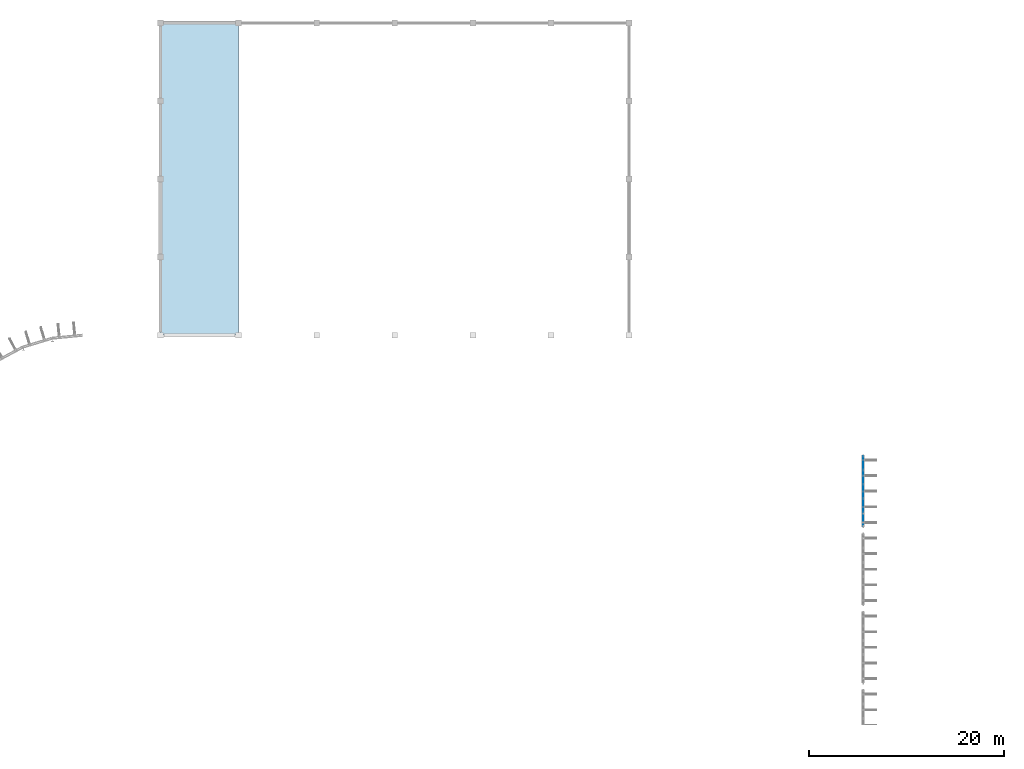
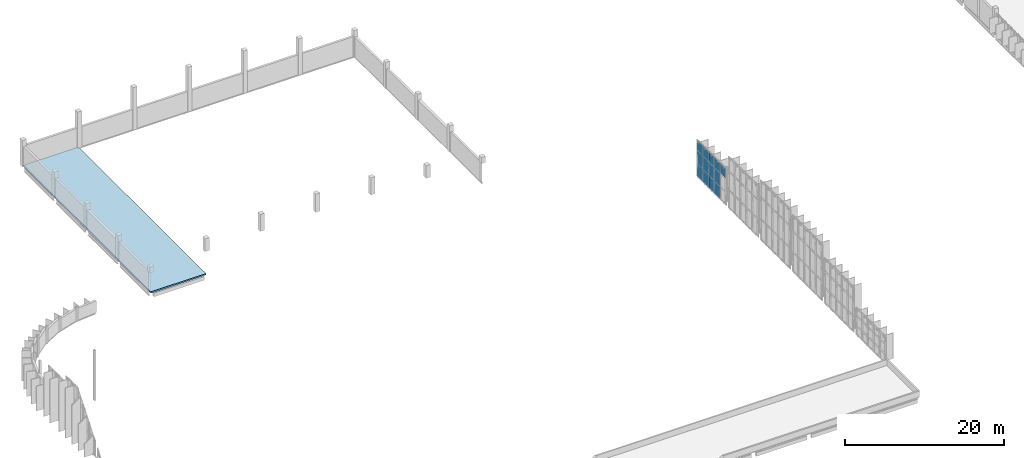
# One storey, part 22 of 38: 13 plates, 1 slab, 1 element without a shape of its own.
"""IFC4 building model written with IfcOpenShell, lengths in metres."""

from ifc_helpers import new_model, si_unit, direction, frame, origin, origin_2d, place, context, subcontext, project, spatial, polyline, rectangle, outline, extrude, material, layer, layer_set, type_object, element, aggregate, save


model = new_model("IFC4")

# Units and contexts
model_context = context("Model", 3, precision=1e-05, world=origin(), true_north=direction((0.0, 1.0)))
body_context = subcontext(model_context, "Body", "Model", "MODEL_VIEW")
ifc_project = project(units=[si_unit("LENGTHUNIT", "METRE"), si_unit("AREAUNIT", "SQUARE_METRE"), si_unit("VOLUMEUNIT", "CUBIC_METRE"), si_unit("PLANEANGLEUNIT", "RADIAN"), si_unit("MASSUNIT", "GRAM", prefix="KILO")], contexts=[model_context])

# Site, building, storey
site_placement = place(None, origin())
site = spatial("IfcSite", under=ifc_project, at=site_placement, CompositionType="ELEMENT")
building_placement = place(site_placement, origin())
building = spatial("IfcBuilding", under=site, at=building_placement, Name="Drelvana Railside Aquatics Centre", CompositionType="ELEMENT")
storey_placement = place(building_placement, frame((0.0, 0.0, 14.39990234375)))
storey = spatial("IfcBuildingStorey", under=building, at=storey_placement, Name="L03", CompositionType="ELEMENT", Elevation=14.39990234375)

# Curtain wall, plates
ifc_material_1 = material(Name="Bronze-anodised aluminium curtain wall", Category="aluminium")
ifc_layer_1 = layer(ifc_material_1, 0.219970703125, Name="Bronze-anodised aluminium curtain wall")
ifc_layer_set_1 = layer_set([ifc_layer_1], Name="Bronze-anodised aluminium curtain wall")
curtain_wall_type = type_object("IfcCurtainWallType", Name="CW-Z3-HIGH", PredefinedType="NOTDEFINED", material=ifc_layer_set_1)
curtain_wall_placement = place(storey_placement, origin())
curtain_wall = element("IfcCurtainWall", 1, at=curtain_wall_placement, inside=storey, type_object=curtain_wall_type, Name="Curtain wall CW-03-077", PredefinedType="NOTDEFINED")
ifc_material_2 = material(Name="Double-glazed low-e solar-control glass", Category="glass")
ifc_layer_2 = layer(ifc_material_2, 0.035888671875, Name="Double-glazed low-e solar-control glass")
ifc_layer_set_2 = layer_set([ifc_layer_2], Name="Double-glazed low-e solar-control glass")
plate_type = type_object("IfcPlateType", Name="CW-Z3-HIGH-PAN", PredefinedType="CURTAIN_PANEL", material=ifc_layer_set_2)
plate_1_placement = place(storey_placement, frame((96.0, 65.09521484375, 4.049560546875), z_axis=(0.0, 0.0, 1.0), x_axis=(0.0, 1.0, 0.0)))
plate_1 = element("IfcPlate", 2, at=plate_1_placement, type_object=plate_type, Name="CW-03 panel 1.3", PredefinedType="CURTAIN_PANEL", context=body_context, shape_type="SweptSolid", body=[
    extrude(rectangle(XDim=1.352294921875, YDim=0.035888671875, at=origin_2d()), origin(), (0.0, 0.0, 1.0), 1.46240234375),
])
plate_2_placement = place(storey_placement, frame((96.0, 66.53759765625, 0.064208984375), z_axis=(0.0, 0.0, 1.0), x_axis=(0.0, 1.0, 0.0)))
plate_2 = element("IfcPlate", 3, at=plate_2_placement, type_object=plate_type, Name="CW-03 panel 2.1", PredefinedType="CURTAIN_PANEL", context=body_context, shape_type="SweptSolid", body=[
    extrude(rectangle(XDim=1.392333984375, YDim=0.035888671875, at=origin_2d()), origin(), (0.0, 0.0, 1.0), 1.853515625),
])
plate_3_placement = place(storey_placement, frame((96.0, 66.53759765625, 1.982666015625), z_axis=(0.0, 0.0, 1.0), x_axis=(0.0, 1.0, 0.0)))
plate_3 = element("IfcPlate", 4, at=plate_3_placement, type_object=plate_type, Name="CW-03 panel 2.2", PredefinedType="CURTAIN_PANEL", context=body_context, shape_type="SweptSolid", body=[
    extrude(rectangle(XDim=1.392333984375, YDim=0.035888671875, at=origin_2d()), origin(), (0.0, 0.0, 1.0), 2.001953125),
])
plate_4_placement = place(storey_placement, frame((96.0, 66.53759765625, 4.049560546875), z_axis=(0.0, 0.0, 1.0), x_axis=(0.0, 1.0, 0.0)))
plate_4 = element("IfcPlate", 5, at=plate_4_placement, type_object=plate_type, Name="CW-03 panel 2.3", PredefinedType="CURTAIN_PANEL", context=body_context, shape_type="SweptSolid", body=[
    extrude(rectangle(XDim=1.392333984375, YDim=0.035888671875, at=origin_2d()), origin(), (0.0, 0.0, 1.0), 1.46240234375),
])
plate_5_placement = place(storey_placement, frame((96.0, 68.0, 0.064208984375), z_axis=(0.0, 0.0, 1.0), x_axis=(0.0, 1.0, 0.0)))
plate_5 = element("IfcPlate", 6, at=plate_5_placement, type_object=plate_type, Name="CW-03 panel 3.1", PredefinedType="CURTAIN_PANEL", context=body_context, shape_type="SweptSolid", body=[
    extrude(rectangle(XDim=1.392333984375, YDim=0.035888671875, at=origin_2d()), origin(), (0.0, 0.0, 1.0), 1.853515625),
])
plate_6_placement = place(storey_placement, frame((96.0, 68.0, 1.982666015625), z_axis=(0.0, 0.0, 1.0), x_axis=(0.0, 1.0, 0.0)))
plate_6 = element("IfcPlate", 7, at=plate_6_placement, type_object=plate_type, Name="CW-03 panel 3.2", PredefinedType="CURTAIN_PANEL", context=body_context, shape_type="SweptSolid", body=[
    extrude(rectangle(XDim=1.392333984375, YDim=0.035888671875, at=origin_2d()), origin(), (0.0, 0.0, 1.0), 2.001953125),
])
plate_7_placement = place(storey_placement, frame((96.0, 68.0, 4.049560546875), z_axis=(0.0, 0.0, 1.0), x_axis=(0.0, 1.0, 0.0)))
plate_7 = element("IfcPlate", 8, at=plate_7_placement, type_object=plate_type, Name="CW-03 panel 3.3", PredefinedType="CURTAIN_PANEL", context=body_context, shape_type="SweptSolid", body=[
    extrude(rectangle(XDim=1.392333984375, YDim=0.035888671875, at=origin_2d()), origin(), (0.0, 0.0, 1.0), 1.46240234375),
])
plate_8_placement = place(storey_placement, frame((96.0, 69.46240234375, 0.064208984375), z_axis=(0.0, 0.0, 1.0), x_axis=(0.0, 1.0, 0.0)))
plate_8 = element("IfcPlate", 9, at=plate_8_placement, type_object=plate_type, Name="CW-03 panel 4.1", PredefinedType="CURTAIN_PANEL", context=body_context, shape_type="SweptSolid", body=[
    extrude(rectangle(XDim=1.392333984375, YDim=0.035888671875, at=origin_2d()), origin(), (0.0, 0.0, 1.0), 1.853515625),
])
plate_9_placement = place(storey_placement, frame((96.0, 69.46240234375, 1.982666015625), z_axis=(0.0, 0.0, 1.0), x_axis=(0.0, 1.0, 0.0)))
plate_9 = element("IfcPlate", 10, at=plate_9_placement, type_object=plate_type, Name="CW-03 panel 4.2", PredefinedType="CURTAIN_PANEL", context=body_context, shape_type="SweptSolid", body=[
    extrude(rectangle(XDim=1.392333984375, YDim=0.035888671875, at=origin_2d()), origin(), (0.0, 0.0, 1.0), 2.001953125),
])
plate_10_placement = place(storey_placement, frame((96.0, 69.46240234375, 4.049560546875), z_axis=(0.0, 0.0, 1.0), x_axis=(0.0, 1.0, 0.0)))
plate_10 = element("IfcPlate", 11, at=plate_10_placement, type_object=plate_type, Name="CW-03 panel 4.3", PredefinedType="CURTAIN_PANEL", context=body_context, shape_type="SweptSolid", body=[
    extrude(rectangle(XDim=1.392333984375, YDim=0.035888671875, at=origin_2d()), origin(), (0.0, 0.0, 1.0), 1.46240234375),
])
plate_11_placement = place(storey_placement, frame((96.0, 70.90478515625, 0.064208984375), z_axis=(0.0, 0.0, 1.0), x_axis=(0.0, 1.0, 0.0)))
plate_11 = element("IfcPlate", 12, at=plate_11_placement, type_object=plate_type, Name="CW-03 panel 5.1", PredefinedType="CURTAIN_PANEL", context=body_context, shape_type="SweptSolid", body=[
    extrude(rectangle(XDim=1.352294921875, YDim=0.035888671875, at=origin_2d()), origin(), (0.0, 0.0, 1.0), 1.853515625),
])
plate_12_placement = place(storey_placement, frame((96.0, 70.90478515625, 1.982666015625), z_axis=(0.0, 0.0, 1.0), x_axis=(0.0, 1.0, 0.0)))
plate_12 = element("IfcPlate", 13, at=plate_12_placement, type_object=plate_type, Name="CW-03 panel 5.2", PredefinedType="CURTAIN_PANEL", context=body_context, shape_type="SweptSolid", body=[
    extrude(rectangle(XDim=1.352294921875, YDim=0.035888671875, at=origin_2d()), origin(), (0.0, 0.0, 1.0), 2.001953125),
])
plate_13_placement = place(storey_placement, frame((96.0, 70.90478515625, 4.049560546875), z_axis=(0.0, 0.0, 1.0), x_axis=(0.0, 1.0, 0.0)))
plate_13 = element("IfcPlate", 14, at=plate_13_placement, type_object=plate_type, Name="CW-03 panel 5.3", PredefinedType="CURTAIN_PANEL", context=body_context, shape_type="SweptSolid", body=[
    extrude(rectangle(XDim=1.352294921875, YDim=0.035888671875, at=origin_2d()), origin(), (0.0, 0.0, 1.0), 1.46240234375),
])
aggregate(curtain_wall, [plate_1, plate_2, plate_3, plate_4, plate_5, plate_6, plate_7, plate_8, plate_9, plate_10, plate_11, plate_12, plate_13])

# Slab
ifc_material_3 = material(Name="Concrete C40/50", Category="concrete")
ifc_layer_3 = layer(ifc_material_3, 0.215087890625, Name="Concrete C40/50")
ifc_layer_set_3 = layer_set([ifc_layer_3], Name="Concrete C40/50")
slab_type = type_object("IfcSlabType", Name="SL-RF-215", PredefinedType="ROOF", material=ifc_layer_set_3)
slab_placement = place(storey_placement, frame((0.0, 0.0, -0.21484375)))
element("IfcSlab", 15, at=slab_placement, inside=storey, type_object=slab_type, Name="Diving Hall west gallery roof slab", PredefinedType="ROOF", context=body_context, shape_type="SweptSolid", body=[
    extrude(outline(polyline([(24.0, 84.0), (32.0, 84.0), (32.0, 116.0), (24.0, 116.0), (24.0, 84.0)])), origin(), (0.0, 0.0, 1.0), 0.21484375),
])

save(model, "model.ifc")
